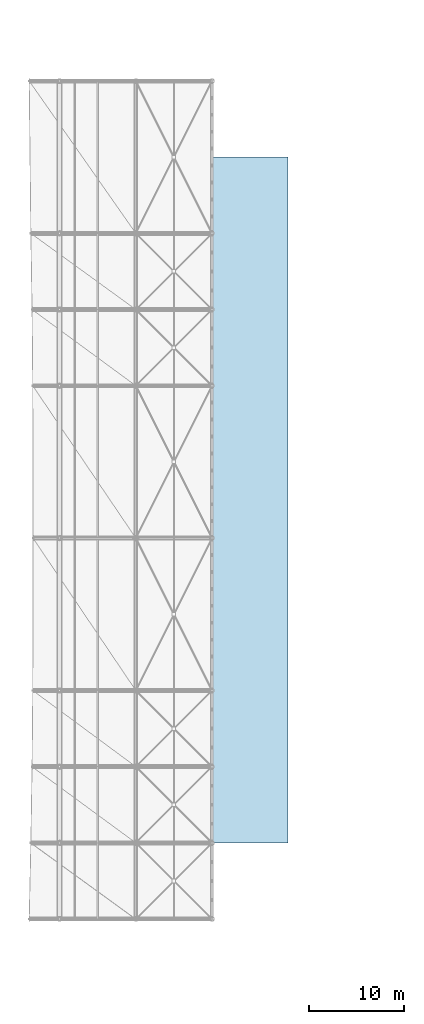
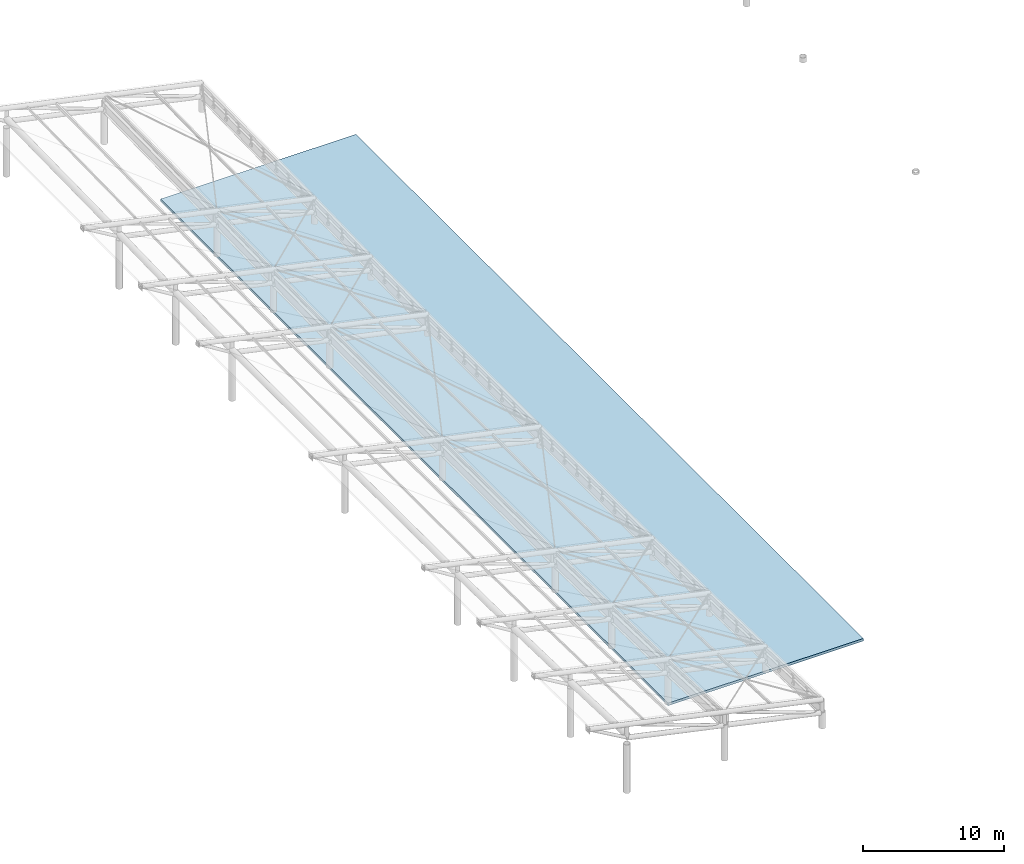
# One storey, part 28 of 41: 1 slab.
"""IFC4 building model written with IfcOpenShell, lengths in metres."""

from ifc_helpers import new_model, si_unit, direction, frame, origin, place, context, subcontext, project, spatial, polyline, outline, extrude, material, layer, layer_set, type_object, element, save


model = new_model("IFC4")

# Units and contexts
model_context = context("Model", 3, precision=1e-05, world=origin(), true_north=direction((0.0, 1.0)))
body_context = subcontext(model_context, "Body", "Model", "MODEL_VIEW")
ifc_project = project(units=[si_unit("LENGTHUNIT", "METRE"), si_unit("AREAUNIT", "SQUARE_METRE"), si_unit("VOLUMEUNIT", "CUBIC_METRE"), si_unit("PLANEANGLEUNIT", "RADIAN"), si_unit("MASSUNIT", "GRAM", prefix="KILO")], contexts=[model_context])

# Site, building, storey
site_placement = place(None, origin())
site = spatial("IfcSite", under=ifc_project, at=site_placement, CompositionType="ELEMENT")
building_placement = place(site_placement, origin())
building = spatial("IfcBuilding", under=site, at=building_placement, Name="Haebicheon Civic Stadium", CompositionType="ELEMENT")
storey_placement = place(building_placement, frame((0.0, 0.0, 27.0)))
storey = spatial("IfcBuildingStorey", under=building, at=storey_placement, Name="L07", CompositionType="ELEMENT", Elevation=27.0)

# Slab
ifc_material = material(Name="Concrete C40/50", Category="concrete")
ifc_layer = layer(ifc_material, 0.219970703125, Name="Concrete C40/50")
ifc_layer_set = layer_set([ifc_layer], Name="Concrete C40/50")
slab_type = type_object("IfcSlabType", Name="SLB-ROOF-220", PredefinedType="ROOF", material=ifc_layer_set)
slab_placement = place(storey_placement, frame((0.0, 0.0, -0.219970703125)))
element("IfcSlab", 1, at=slab_placement, inside=storey, type_object=slab_type, material=ifc_layer_set, Name="L07 V2 roof deck slab 1", PredefinedType="ROOF", context=body_context, shape_type="SweptSolid", body=[
    extrude(outline(polyline([(144.0, 56.0), (144.0, 128.0), (160.0, 128.0), (160.0, 56.0), (144.0, 56.0)])), origin(), (0.0, 0.0, 1.0), 0.219970703125),
])

save(model, "model.ifc")
